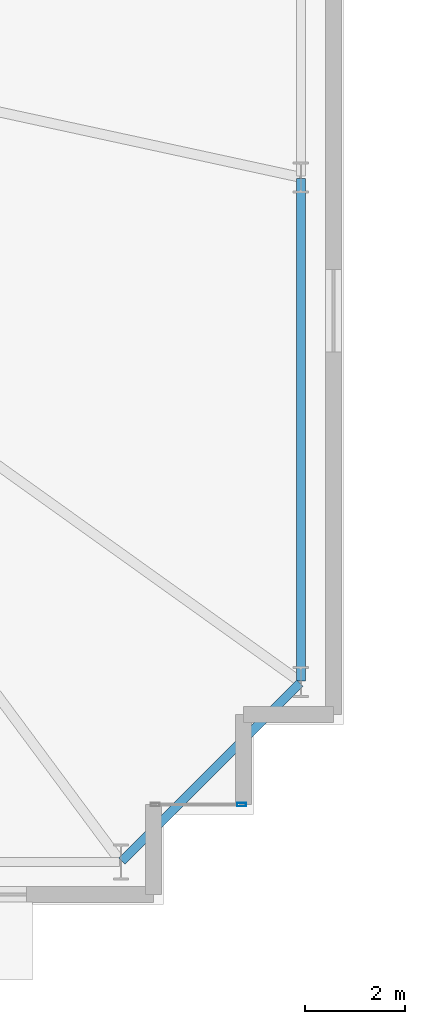
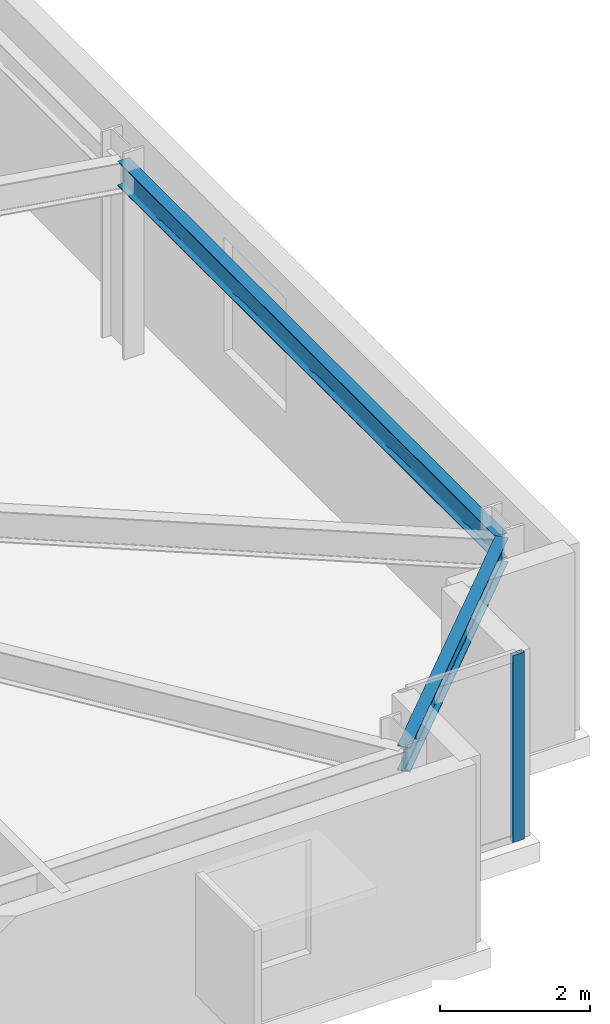
# One storey, part 10 of 20: 2 beams, 1 member, 1 element without a shape of its own.
"""IFC4 building model written with IfcOpenShell, lengths in metres."""

import ifcopenshell
import ifcopenshell.guid

model = None  # the IFC model being written
_history = None  # IfcOwnerHistory: only IFC2X3 demands one
_inside = {}  # id of a spatial element -> (the spatial element, [elements in it])
_under = {}  # id of a project, library or spatial element -> (it, [spatial elements below it])
_declared = {}  # id of a project -> (the project, [libraries it declares])
_typed = {}  # id of a type object -> (the type object, [elements of that type])
_made_of = {}  # id of a material, layer set ... -> (it, [elements and type objects made of it])


def new_model(schema):
    """Start an empty IFC model of exactly this schema.

    Asked for "IFC4X3", IfcOpenShell would pick the latest addendum, in which some entities
    have other attributes; the version numbers below select the first issue.
    IFC2X3 requires an IfcOwnerHistory on every rooted entity: one is made here for all.
    """
    global model, _history
    if schema == "IFC4X3":
        model = ifcopenshell.file(schema_version=(4, 3, 0, 0))
    else:
        model = ifcopenshell.file(schema=schema)
    _inside.clear()
    _under.clear()
    _declared.clear()
    _typed.clear()
    _made_of.clear()
    _history = None
    if model.schema == "IFC2X3":
        org = make("IfcOrganization", Name="unknown")
        user = make(
            "IfcPersonAndOrganization",
            ThePerson=make("IfcPerson", FamilyName="unknown"),
            TheOrganization=org,
        )
        app = make(
            "IfcApplication",
            ApplicationDeveloper=org,
            Version="unknown",
            ApplicationFullName="unknown",
            ApplicationIdentifier="unknown",
        )
        _history = make(
            "IfcOwnerHistory",
            OwningUser=user,
            OwningApplication=app,
            ChangeAction="ADDED",
            CreationDate=0,
        )
    return model


def make(cls, **values):
    """One entity of the class cls with the attributes given. An attribute that is None is left unset."""
    return model.create_entity(
        cls, **{name: value for name, value in values.items() if value is not None}
    )


def rooted(cls, **values):
    """An entity with a GlobalId (a new one), such as an element, a storey or a relation."""
    return make(cls, GlobalId=ifcopenshell.guid.new(), OwnerHistory=_history, **values)


def si_unit(unit_type, name, prefix=None):
    """IfcSIUnit, for example si_unit("LENGTHUNIT", "METRE", prefix="MILLI")."""
    return make("IfcSIUnit", UnitType=unit_type, Prefix=prefix, Name=name)


def assignment(units):
    """IfcUnitAssignment: the units of a project."""
    return None if units is None else make("IfcUnitAssignment", Units=units)


def point(xyz):
    """IfcCartesianPoint."""
    return None if xyz is None else make("IfcCartesianPoint", Coordinates=xyz)


def direction(xyz):
    """IfcDirection."""
    return None if xyz is None else make("IfcDirection", DirectionRatios=xyz)


def frame(location, z_axis=None, x_axis=None):
    """IfcAxis2Placement3D, a coordinate frame: its origin and axes. An axis left out is left unset."""
    return make(
        "IfcAxis2Placement3D",
        Location=point(location),
        Axis=direction(z_axis),
        RefDirection=direction(x_axis),
    )


def frame_2d(location, x_axis=None):
    """IfcAxis2Placement2D, a coordinate frame in the plane: its origin and x axis."""
    return make(
        "IfcAxis2Placement2D", Location=point(location), RefDirection=direction(x_axis)
    )


def origin():
    """The frame at (0, 0, 0) with its axes left unset."""
    return frame((0.0, 0.0, 0.0))


def origin_2d():
    """The frame at (0, 0) in the plane with its x axis left unset."""
    return frame_2d((0.0, 0.0))


def place(relative_to, where):
    """IfcLocalPlacement: puts the frame where relative to a parent placement (None: the world)."""
    return make(
        "IfcLocalPlacement", PlacementRelTo=relative_to, RelativePlacement=where
    )


def context(
    kind, dimensions, precision=None, world=None, true_north=None, identifier=None
):
    """IfcGeometricRepresentationContext, for example the 3D "Model" context."""
    return make(
        "IfcGeometricRepresentationContext",
        ContextIdentifier=identifier,
        ContextType=kind,
        CoordinateSpaceDimension=dimensions,
        Precision=precision,
        WorldCoordinateSystem=world,
        TrueNorth=true_north,
    )


def subcontext(parent, identifier, kind, view, scale=None):
    """IfcGeometricRepresentationSubContext, for example "Body" below "Model"."""
    return make(
        "IfcGeometricRepresentationSubContext",
        ContextIdentifier=identifier,
        ContextType=kind,
        ParentContext=parent,
        TargetScale=scale,
        TargetView=view,
    )


def project(units=None, contexts=None):
    """IfcProject with its units and contexts."""
    return rooted(
        "IfcProject",
        Name="project",
        RepresentationContexts=contexts,
        UnitsInContext=assignment(units),
    )


def spatial(cls, under=None, at=None, **own):
    """A site, building, storey or space (cls), placed at a placement, below another one or the project."""
    s = rooted(cls, ObjectPlacement=at, **own)
    if under is not None:
        _under.setdefault(under.id(), (under, []))[1].append(s)
    return s


def profile(cls, at=None, kind="AREA", **sizes):
    """A parametric profile (cls). Its sizes go by their IFC names, for example OverallWidth=200.0."""
    return make(cls, ProfileType=kind, Position=at, **sizes)


def hollow_rectangle(**sizes):
    """IfcRectangleHollowProfileDef."""
    return profile("IfcRectangleHollowProfileDef", **sizes)


def i_section(**sizes):
    """IfcIShapeProfileDef."""
    return profile("IfcIShapeProfileDef", **sizes)


def extrude(swept, where, along, depth):
    """IfcExtrudedAreaSolid: the profile swept, set in the frame where, extruded along a direction by depth."""
    return make(
        "IfcExtrudedAreaSolid",
        SweptArea=swept,
        Position=where,
        ExtrudedDirection=direction(along),
        Depth=depth,
    )


def shape(context_of_items, identifier, shape_type, items):
    """IfcShapeRepresentation: the items that make up one representation, for example the "Body"."""
    return make(
        "IfcShapeRepresentation",
        ContextOfItems=context_of_items,
        RepresentationIdentifier=identifier,
        RepresentationType=shape_type,
        Items=items,
    )


def material(Name=None, Category=None):
    """IfcMaterial."""
    return make("IfcMaterial", Name=Name, Category=Category)


def layer(
    of_material, thickness, ventilated=None, Name=None, Category=None, Priority=None
):
    """IfcMaterialLayer: one layer of a wall or slab, of a material (None: an air gap)."""
    return make(
        "IfcMaterialLayer",
        Material=of_material,
        LayerThickness=thickness,
        IsVentilated=ventilated,
        Name=Name,
        Category=Category,
        Priority=Priority,
    )


def layer_set(layers, Name=None):
    """IfcMaterialLayerSet."""
    return make("IfcMaterialLayerSet", MaterialLayers=layers, LayerSetName=Name)


def material_profile(
    of_material, cross_section, Name=None, Category=None, Priority=None
):
    """IfcMaterialProfile: a cross section and its material."""
    return make(
        "IfcMaterialProfile",
        Name=Name,
        Material=of_material,
        Profile=cross_section,
        Priority=Priority,
        Category=Category,
    )


def profile_set(profiles, Name=None, composite=None):
    """IfcMaterialProfileSet."""
    return make(
        "IfcMaterialProfileSet",
        Name=Name,
        MaterialProfiles=profiles,
        CompositeProfile=composite,
    )


def made_of(thing, what):
    """Note that an element or type object is made of a material, layer set ...; save() writes the relation."""
    if what is not None:
        _made_of.setdefault(what.id(), (what, []))[1].append(thing)
    return thing


def type_object(cls, material=None, **own):
    """A type object (cls), such as IfcWallType, which elements share."""
    return made_of(rooted(cls, **own), material)


def element(
    cls,
    number,
    at=None,
    inside=None,
    cuts=None,
    type_object=None,
    material=None,
    context=None,
    identifier="Body",
    shape_type=None,
    held_by="IfcProductDefinitionShape",
    body=None,
    shapes=None,
    **own,
):
    """One element of the class cls, such as IfcWall. Its Tag is "e" and its number.

    at: its placement. inside: the storey or other place that contains it. cuts: it is an
    opening in that element (IfcRelVoidsElement). A single representation is given by context,
    identifier, shape_type and body (its items); several are given by shapes. held_by: the class
    of the entity that holds the representations. save() writes the other relations.
    """
    e = rooted(cls, Tag="e%d" % number, ObjectPlacement=at, **own)
    if body is not None:
        shapes = [shape(context, identifier, shape_type, body)]
    if shapes is not None:
        e.Representation = make(held_by, Representations=shapes)
    if inside is not None:
        _inside.setdefault(inside.id(), (inside, []))[1].append(e)
    if cuts is not None:
        rooted(
            "IfcRelVoidsElement", RelatingBuildingElement=cuts, RelatedOpeningElement=e
        )
    if type_object is not None:
        _typed.setdefault(type_object.id(), (type_object, []))[1].append(e)
    return made_of(e, material)


def aggregate(whole, parts):
    """IfcRelAggregates: a whole, such as a stair, and the parts it consists of."""
    return rooted("IfcRelAggregates", RelatingObject=whole, RelatedObjects=parts)


def save(model, path):
    """Write the relations noted so far, then the file.

    IfcRelAggregates (storeys below a building ...), IfcRelContainedInSpatialStructure (elements
    in a storey), IfcRelDefinesByType, IfcRelAssociatesMaterial and IfcRelDeclares: one each for
    every whole, place, type object, material and project.
    """
    for whole, parts in _under.values():
        aggregate(whole, parts)
    for where, things in _inside.values():
        rooted(
            "IfcRelContainedInSpatialStructure",
            RelatedElements=things,
            RelatingStructure=where,
        )
    for kind, things in _typed.values():
        rooted("IfcRelDefinesByType", RelatedObjects=things, RelatingType=kind)
    for what, things in _made_of.values():
        rooted("IfcRelAssociatesMaterial", RelatedObjects=things, RelatingMaterial=what)
    for by, libraries in _declared.values():
        rooted("IfcRelDeclares", RelatingContext=by, RelatedDefinitions=libraries)
    model.write(path)


model = new_model("IFC4")

# Units and contexts
model_context = context("Model", 3, precision=1e-05, world=origin(), true_north=direction((0.0, 1.0)))
body_context = subcontext(model_context, "Body", "Model", "MODEL_VIEW")
ifc_project = project(units=[si_unit("LENGTHUNIT", "METRE"), si_unit("AREAUNIT", "SQUARE_METRE"), si_unit("VOLUMEUNIT", "CUBIC_METRE"), si_unit("PLANEANGLEUNIT", "RADIAN"), si_unit("MASSUNIT", "GRAM", prefix="KILO")], contexts=[model_context])

# Site, building, storey
site_placement = place(None, origin())
site = spatial("IfcSite", under=ifc_project, at=site_placement, CompositionType="ELEMENT")
building_placement = place(site_placement, origin())
building = spatial("IfcBuilding", under=site, at=building_placement, Name="Qobustan Lattice House", CompositionType="ELEMENT")
storey_placement = place(building_placement, frame((0.0, 0.0, 67.199951171875)))
storey = spatial("IfcBuildingStorey", under=building, at=storey_placement, Name="L18", CompositionType="ELEMENT", Elevation=67.199951171875)

# Beams
ifc_material_1 = material(Name="Steel S355", Category="steel")
ifc_material_profile_1 = material_profile(ifc_material_1, i_section(OverallWidth=0.179931640625, OverallDepth=0.39990234375, WebThickness=0.008544921875, FlangeThickness=0.013427734375, FilletRadius=0.02099609375, at=origin_2d()), Name="IPE400")
ifc_profile_set_1 = profile_set([ifc_material_profile_1], Name="Steel S355")
beam_type = type_object("IfcBeamType", Name="BM-SPD-IPE400", PredefinedType="SPANDREL", material=ifc_profile_set_1)
beam_1_placement = place(storey_placement, frame((28.567626953125, -18.732421875, 2.8349609375), z_axis=(0.707106781187, 0.707106781187, 0.0), x_axis=(-0.707106781187, 0.707106781187, 0.0)))
element("IfcBeam", 1, at=beam_1_placement, inside=storey, type_object=beam_type, Name="L18 perimeter spandrel S7-E1", PredefinedType="SPANDREL", context=body_context, shape_type="SweptSolid", body=[
    extrude(i_section(OverallWidth=0.179931640625, OverallDepth=0.39990234375, WebThickness=0.008544921875, FlangeThickness=0.013427734375, FilletRadius=0.02099609375, at=origin_2d()), origin(), (0.0, 0.0, 1.0), 5.041259765625),
])
beam_2_placement = place(storey_placement, frame((32.14990234375, -15.125, 2.8349609375), z_axis=(0.0, 1.0, 0.0), x_axis=(-1.0, 0.0, 0.0)))
element("IfcBeam", 2, at=beam_2_placement, inside=storey, type_object=beam_type, Name="L18 perimeter spandrel E1-E2", PredefinedType="SPANDREL", context=body_context, shape_type="SweptSolid", body=[
    extrude(i_section(OverallWidth=0.179931640625, OverallDepth=0.39990234375, WebThickness=0.008544921875, FlangeThickness=0.013427734375, FilletRadius=0.02099609375, at=origin_2d()), origin(), (0.0, 0.0, 1.0), 10.050048828125),
])

# Curtain wall, member
ifc_material_2 = material(Name="Anodised aluminium and low-E glazing", Category="aluminium")
ifc_layer = layer(ifc_material_2, 0.219970703125)
ifc_layer_set = layer_set([ifc_layer], Name="Anodised aluminium and low-E glazing")
curtain_wall_type = type_object("IfcCurtainWallType", Name="CW-FAC-01", PredefinedType="USERDEFINED", material=ifc_layer_set)
curtain_wall_placement = place(storey_placement, origin())
curtain_wall = element("IfcCurtainWall", 3, at=curtain_wall_placement, inside=storey, type_object=curtain_wall_type, Name="L18 serrated corner faceted glazing 18", ObjectType="CURTAIN WALL", PredefinedType="USERDEFINED")
ifc_material_3 = material(Name="Anodised aluminium EN AW-6063 T6", Category="aluminium")
ifc_material_profile_2 = material_profile(ifc_material_3, hollow_rectangle(XDim=0.070068359375, YDim=0.179931640625, WallThickness=0.00439453125, at=origin_2d()), Name="CWM-180x70")
ifc_profile_set_2 = profile_set([ifc_material_profile_2], Name="Anodised aluminium EN AW-6063 T6")
member_type = type_object("IfcMemberType", Name="CWM-STD-180", PredefinedType="MULLION", material=ifc_profile_set_2)
member_placement = place(storey_placement, frame((30.965087890625, -17.60009765625, 0.0), z_axis=(0.0, 0.0, 1.0), x_axis=(0.0, -1.0, 0.0)))
member = element("IfcMember", 4, at=member_placement, type_object=member_type, Name="CW-F1 mullion 1", PredefinedType="MULLION", context=body_context, shape_type="SweptSolid", body=[
    extrude(hollow_rectangle(XDim=0.070068359375, YDim=0.179931640625, WallThickness=0.00439453125, at=origin_2d()), origin(), (0.0, 0.0, 1.0), 3.03515625),
])
aggregate(curtain_wall, [member])

save(model, "model.ifc")
